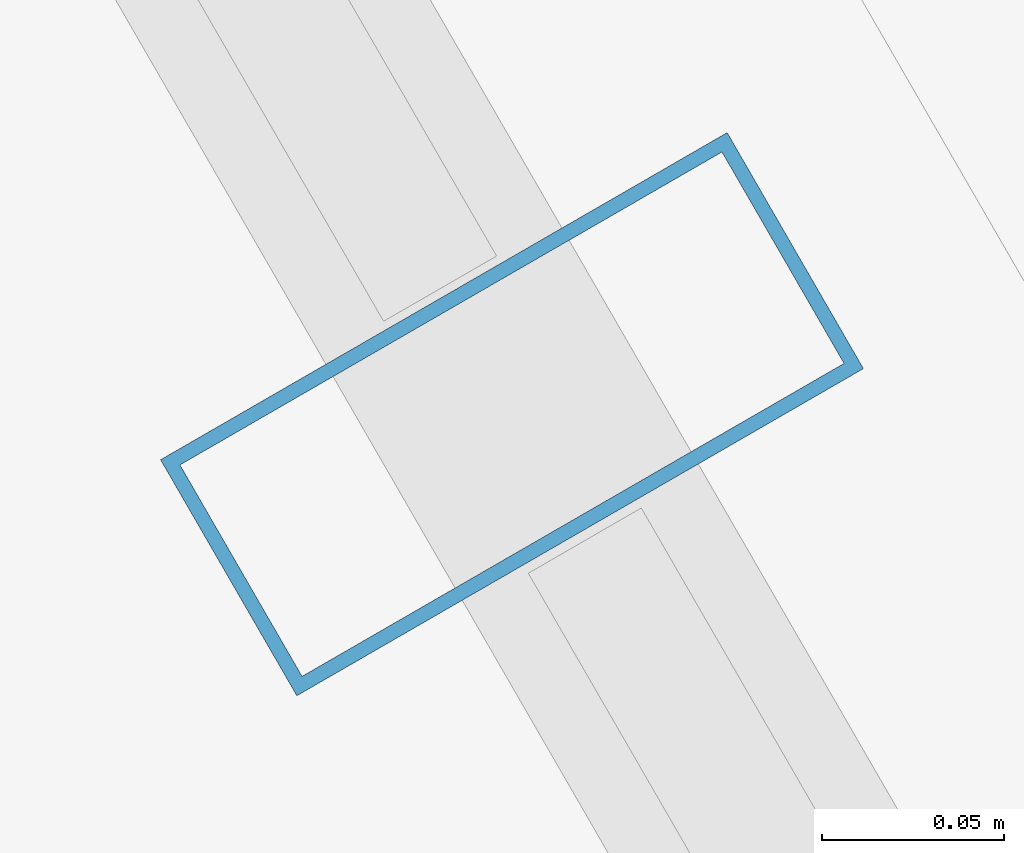
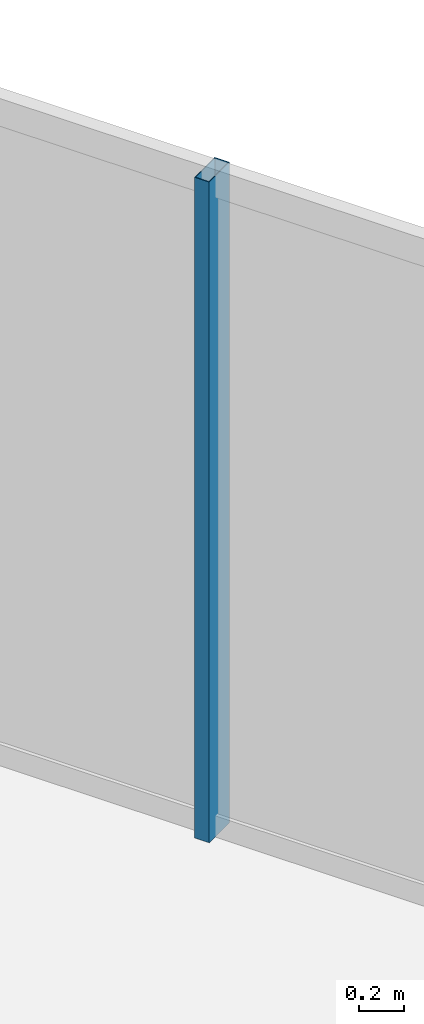
# One storey, part 25 of 34: 1 member, 1 element without a shape of its own.
"""IFC4 building model written with IfcOpenShell, lengths in metres."""

from ifc_helpers import new_model, si_unit, direction, frame, origin, origin_2d, place, context, subcontext, project, spatial, hollow_rectangle, extrude, material, layer, layer_set, material_profile, profile_set, type_object, element, aggregate, save


model = new_model("IFC4")

# Units and contexts
model_context = context("Model", 3, precision=1e-05, world=origin(), true_north=direction((0.0, 1.0)))
body_context = subcontext(model_context, "Body", "Model", "MODEL_VIEW")
ifc_project = project(units=[si_unit("LENGTHUNIT", "METRE"), si_unit("AREAUNIT", "SQUARE_METRE"), si_unit("VOLUMEUNIT", "CUBIC_METRE"), si_unit("PLANEANGLEUNIT", "RADIAN"), si_unit("MASSUNIT", "GRAM", prefix="KILO")], contexts=[model_context])

# Site, building, storey
site_placement = place(None, origin())
site = spatial("IfcSite", under=ifc_project, at=site_placement, CompositionType="ELEMENT")
building_placement = place(site_placement, origin())
building = spatial("IfcBuilding", under=site, at=building_placement, Name="Ndaravel Arena Tower", CompositionType="ELEMENT")
storey_placement = place(building_placement, frame((0.0, 0.0, 191.60009765625)))
storey = spatial("IfcBuildingStorey", under=building, at=storey_placement, Name="L46", CompositionType="ELEMENT", Elevation=191.60009765625)

# Curtain wall, member
ifc_material_1 = material(Name="Aluminium", Category="aluminium")
ifc_layer = layer(ifc_material_1, 0.179931640625)
ifc_layer_set = layer_set([ifc_layer], Name="Aluminium")
curtain_wall_type = type_object("IfcCurtainWallType", Name="CW-SYS-03", PredefinedType="NOTDEFINED", material=ifc_layer_set)
curtain_wall_placement = place(storey_placement, origin())
curtain_wall = element("IfcCurtainWall", 1, at=curtain_wall_placement, inside=storey, type_object=curtain_wall_type, Name="L46 Faceted Crystal Curtain Wall CW-L46-E03", PredefinedType="NOTDEFINED")
ifc_material_2 = material(Name="Aluminium", Category="aluminium")
ifc_material_profile = material_profile(ifc_material_2, hollow_rectangle(XDim=0.074951171875, YDim=0.179931640625, WallThickness=0.00390625, at=origin_2d()), Name="CW MULLION 75x180x4")
ifc_profile_set = profile_set([ifc_material_profile], Name="Aluminium")
member_type = type_object("IfcMemberType", Name="MEM-CW-MUL180", PredefinedType="MULLION", material=ifc_profile_set)
member_placement = place(storey_placement, frame((50.773681640625, 38.763427734375, 0.0), z_axis=(0.0, 0.0, 1.0), x_axis=(-0.5, 0.866025403784, 0.0)))
member = element("IfcMember", 2, at=member_placement, type_object=member_type, Name="CW-L46-E03 Mullion 07", PredefinedType="MULLION", context=body_context, shape_type="SweptSolid", body=[
    extrude(hollow_rectangle(XDim=0.074951171875, YDim=0.179931640625, WallThickness=0.00390625, at=origin_2d()), origin(), (0.0, 0.0, 1.0), 3.579833984375),
])
aggregate(curtain_wall, [member])

save(model, "model.ifc")
